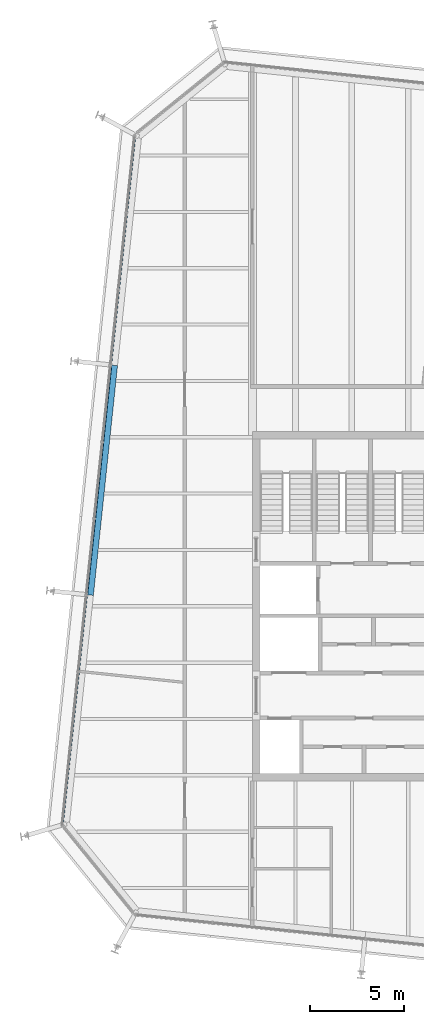
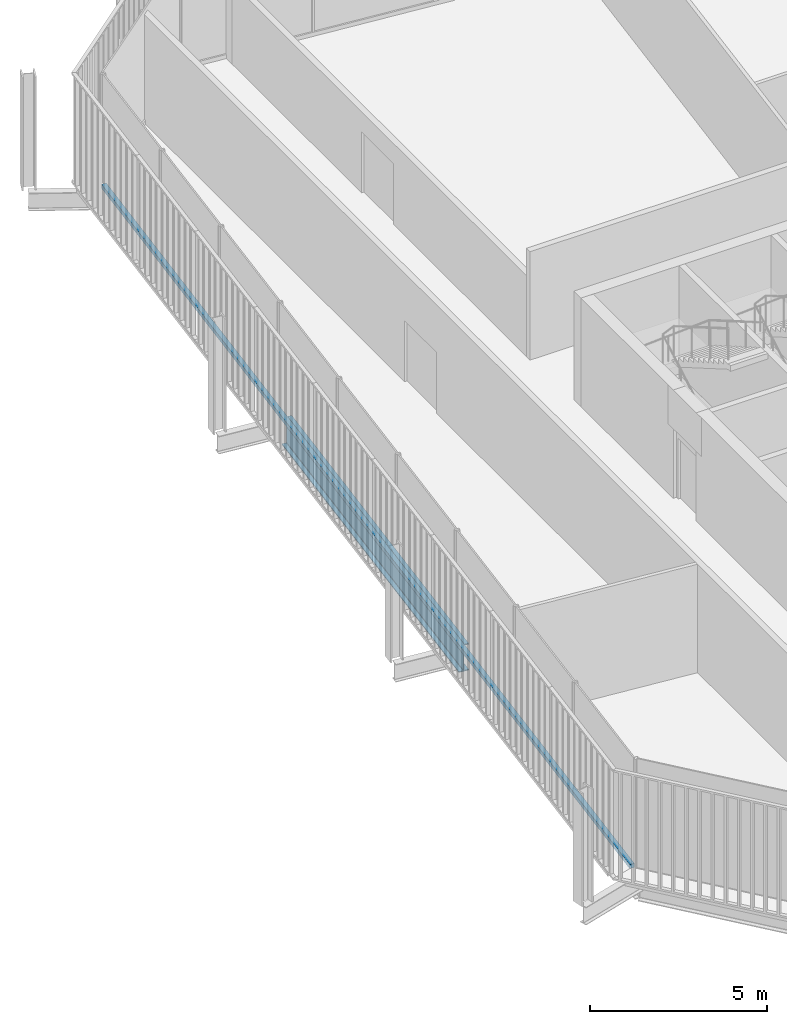
# One storey, part 7 of 20: 1 beam, 1 member, 1 element without a shape of its own.
"""IFC4 building model written with IfcOpenShell, lengths in metres."""

from ifc_helpers import new_model, si_unit, direction, frame, origin, origin_2d, place, context, subcontext, project, spatial, rectangle, i_section, extrude, material, layer, layer_set, material_profile, profile_set, type_object, element, aggregate, save


model = new_model("IFC4")

# Units and contexts
model_context = context("Model", 3, precision=1e-05, world=origin(), true_north=direction((0.0, 1.0)))
body_context = subcontext(model_context, "Body", "Model", "MODEL_VIEW")
ifc_project = project(units=[si_unit("LENGTHUNIT", "METRE"), si_unit("AREAUNIT", "SQUARE_METRE"), si_unit("VOLUMEUNIT", "CUBIC_METRE"), si_unit("PLANEANGLEUNIT", "RADIAN"), si_unit("MASSUNIT", "GRAM", prefix="KILO")], contexts=[model_context])

# Site, building, storey
site_placement = place(None, origin())
site = spatial("IfcSite", under=ifc_project, at=site_placement, CompositionType="ELEMENT")
building_placement = place(site_placement, origin())
building = spatial("IfcBuilding", under=site, at=building_placement, Name="Millrace Tower", CompositionType="ELEMENT")
storey_placement = place(building_placement, frame((0.0, 0.0, 322.60009765625)))
storey = spatial("IfcBuildingStorey", under=building, at=storey_placement, Name="L74", CompositionType="ELEMENT", Elevation=322.60009765625)

# Curtain wall, member
ifc_material_1 = material(Name="Aluminium and glass", Category="aluminium")
ifc_layer = layer(ifc_material_1, 0.14990234375)
ifc_layer_set = layer_set([ifc_layer], Name="Aluminium and glass")
curtain_wall_type = type_object("IfcCurtainWallType", Name="CW-1 office vision curtain wall", PredefinedType="NOTDEFINED", material=ifc_layer_set)
curtain_wall_placement = place(storey_placement, origin())
curtain_wall = element("IfcCurtainWall", 1, at=curtain_wall_placement, inside=storey, type_object=curtain_wall_type, Name="Curtain wall E-F08 L74", PredefinedType="NOTDEFINED")
ifc_material_2 = material(Name="Aluminium", Category="aluminium")
ifc_material_profile_1 = material_profile(ifc_material_2, rectangle(XDim=0.14990234375, YDim=0.139892578125, at=origin_2d()))
ifc_profile_set_1 = profile_set([ifc_material_profile_1], Name="Aluminium")
member_type = type_object("IfcMemberType", Name="CW-1 office vision curtain wall transom", PredefinedType="USERDEFINED", material=ifc_profile_set_1)
member_placement = place(storey_placement, frame((-20.581787109375, 24.9853515625, 0.06982421875), z_axis=(-0.104527916025, -0.994521952886, 0.0), x_axis=(0.994521952886, -0.104527916025, 0.0)))
member = element("IfcMember", 2, at=member_placement, type_object=member_type, Name="CW1 transom E-F08.1", ObjectType="TRANSOM", PredefinedType="USERDEFINED", context=body_context, shape_type="SweptSolid", body=[
    extrude(rectangle(XDim=0.14990234375, YDim=0.139892578125, at=origin_2d()), origin(), (0.0, 0.0, 1.0), 36.699951171875),
])
aggregate(curtain_wall, [member])

# Beam
ifc_material_3 = material(Name="Steel ASTM A992 Grade 50", Category="steel")
ifc_material_profile_2 = material_profile(ifc_material_3, i_section(OverallWidth=0.307373046875, OverallDepth=0.927001953125, WebThickness=0.01953125, FlangeThickness=0.031982421875, FilletRadius=0.01904296875, at=origin_2d()))
ifc_profile_set_2 = profile_set([ifc_material_profile_2], Name="Steel ASTM A992 Grade 50")
beam_type = type_object("IfcBeamType", Name="Ring beam medium span W36x194", PredefinedType="SPANDREL", material=ifc_profile_set_2)
beam_placement = place(storey_placement, frame((-22.915283203125, 0.595703125, -0.62353515625), z_axis=(0.104523600289, 0.994522406476, 0.0), x_axis=(-0.994522406476, 0.104523600289, 0.0)))
element("IfcBeam", 3, at=beam_placement, inside=storey, type_object=beam_type, Name="RNG-E-L74-S1-02", PredefinedType="SPANDREL", context=body_context, shape_type="SweptSolid", body=[
    extrude(i_section(OverallWidth=0.307373046875, OverallDepth=0.927001953125, WebThickness=0.01953125, FlangeThickness=0.031982421875, FilletRadius=0.01904296875, at=origin_2d()), origin(), (0.0, 0.0, 1.0), 12.300048828125),
])

save(model, "model.ifc")
